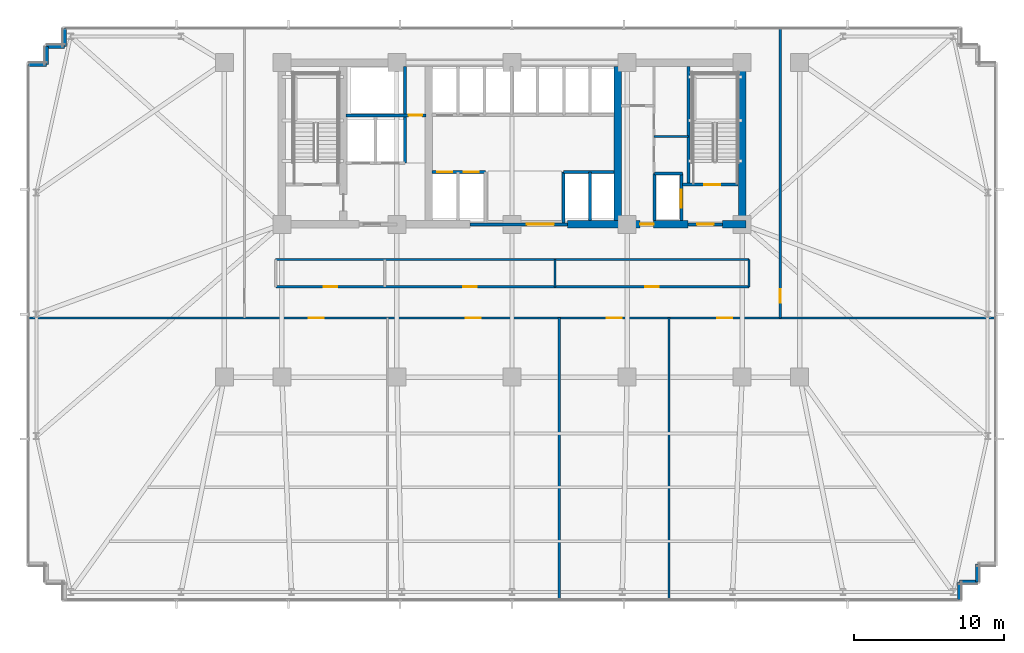
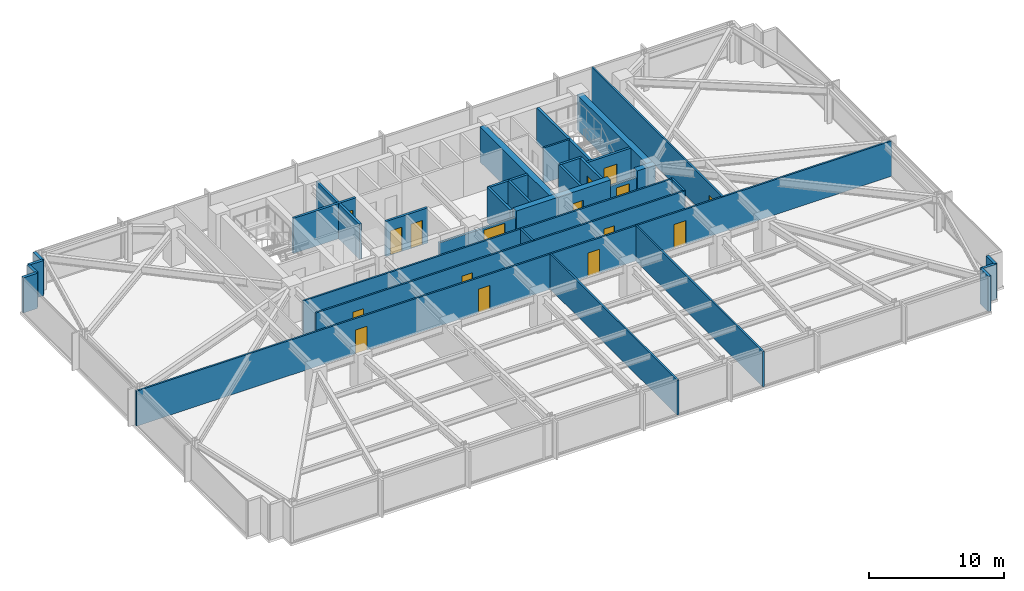
# One storey, part 25 of 33: 33 walls, 16 doors, 16 openings.
"""IFC4 building model written with IfcOpenShell, lengths in metres."""

from ifc_helpers import new_model, si_unit, direction, frame, frame_2d, origin, place, context, subcontext, project, spatial, rectangle, extrude, material, layer, layer_set, type_object, element, fill, save


model = new_model("IFC4")

# Units and contexts
model_context = context("Model", 3, precision=1e-05, world=origin(), true_north=direction((0.0, 1.0)))
body_context = subcontext(model_context, "Body", "Model", "MODEL_VIEW")
ifc_project = project(units=[si_unit("LENGTHUNIT", "METRE"), si_unit("AREAUNIT", "SQUARE_METRE"), si_unit("VOLUMEUNIT", "CUBIC_METRE"), si_unit("PLANEANGLEUNIT", "RADIAN"), si_unit("MASSUNIT", "GRAM", prefix="KILO")], contexts=[model_context])

# Site, building, storey
site_placement = place(None, origin())
site = spatial("IfcSite", under=ifc_project, at=site_placement, CompositionType="ELEMENT")
building_placement = place(site_placement, origin())
building = spatial("IfcBuilding", under=site, at=building_placement, Name="Yelkora Congress Tower", CompositionType="ELEMENT")
storey_placement = place(building_placement, frame((0.0, 0.0, 64.39990234375)))
storey = spatial("IfcBuildingStorey", under=building, at=storey_placement, Name="L16", CompositionType="ELEMENT", Elevation=64.39990234375)

# Wall
ifc_material_1 = material(Name="Concrete C50/60", Category="concrete")
ifc_layer_1 = layer(ifc_material_1, 0.219970703125)
ifc_layer_set_1 = layer_set([ifc_layer_1], Name="Concrete C50/60")
wall_type_1 = type_object("IfcWallType", Name="WALL-CORE-INT-220", PredefinedType="SHEAR", material=ifc_layer_set_1)
wall_1_placement = place(storey_placement, frame((50.179931640625, 38.050048828125, 0.0), z_axis=(0.0, 0.0, 1.0), x_axis=(0.0, 1.0, 0.0)))
element("IfcWall", 1, at=wall_1_placement, inside=storey, type_object=wall_type_1, Name="L16 ST02 West Stair Shear Wall", PredefinedType="SHEAR", context=body_context, shape_type="SweptSolid", body=[
    extrude(rectangle(XDim=7.89990234375, YDim=0.219970703125, at=frame_2d((3.949951171875, 0.0))), origin(), (0.0, 0.0, 1.0), 3.18017578125),
])

# Wall, opening, door
ifc_material_2 = material(Name="Concrete C60/75", Category="concrete")
ifc_layer_2 = layer(ifc_material_2, 0.5)
ifc_layer_set_2 = layer_set([ifc_layer_2], Name="Concrete C60/75")
wall_type_2 = type_object("IfcWallType", Name="WALL-CORE-INT-500", PredefinedType="SHEAR", material=ifc_layer_set_2)
wall_2_placement = place(storey_placement, frame((42.10009765625, 35.39990234375, 0.0), z_axis=(0.0, 0.0, 1.0), x_axis=(1.0, 0.0, 0.0)))
wall_2 = element("IfcWall", 2, at=wall_2_placement, inside=storey, type_object=wall_type_2, Name="L16 Rear Core South-East Shear Wall A", PredefinedType="SHEAR", context=body_context, shape_type="SweptSolid", body=[
    extrude(rectangle(XDim=8.0498046875, YDim=0.5, at=frame_2d((4.02490234375, 0.0))), origin(), (0.0, 0.0, 1.0), 3.18017578125),
])
opening_1_placement = place(wall_2_placement, frame((4.85009765625, 0.0, 0.0)))
opening_1 = element("IfcOpeningElement", 3, at=opening_1_placement, cuts=wall_2, Name="Opening DR-090F6", PredefinedType="OPENING", context=body_context, shape_type="SweptSolid", body=[
    extrude(rectangle(XDim=0.89990234375, YDim=2.14990234375, at=frame_2d((0.449951171875, 1.074951171875))), frame((0.0, 0.260009765625, 0.0), z_axis=(0.0, -1.0, 0.0), x_axis=(1.0, 0.0, 0.0)), (0.0, 0.0, 1.0), 0.52001953125),
])
ifc_material_3 = material(Name="Painted steel riser fire door leaf", Category="steel")
door_type_1 = type_object("IfcDoorType", Name="DOOR-FD60-900", OperationType="NOTDEFINED", PredefinedType="DOOR", material=ifc_material_3)
door_1_placement = place(opening_1_placement, origin())
door_1 = element("IfcDoor", 4, at=door_1_placement, inside=storey, type_object=door_type_1, Name="L16 Core Washroom Lobby Door", OperationType="SINGLE_SWING_RIGHT", OverallHeight=2.14990234375, OverallWidth=0.89990234375, PredefinedType="DOOR", context=body_context, shape_type="SweptSolid", body=[
    extrude(rectangle(XDim=0.89990234375, YDim=2.14990234375, at=frame_2d((0.449951171875, 1.074951171875))), frame((0.0, 0.02490234375, 0.0), z_axis=(0.0, -1.0, 0.0), x_axis=(1.0, 0.0, 0.0)), (0.0, 0.0, 1.0), 0.050048828125),
])
fill(opening_1, door_1)

# Walls
wall_3_placement = place(storey_placement, frame((52.449951171875, 35.39990234375, 0.0), z_axis=(0.0, 0.0, 1.0), x_axis=(1.0, 0.0, 0.0)))
element("IfcWall", 5, at=wall_3_placement, inside=storey, type_object=wall_type_2, Name="L16 Rear Core South-East Shear Wall B", PredefinedType="SHEAR", context=body_context, shape_type="SweptSolid", body=[
    extrude(rectangle(XDim=1.56005859375, YDim=0.5, at=frame_2d((0.780029296875, 0.0))), origin(), (0.0, 0.0, 1.0), 3.18017578125),
])
for number, where, z_axis, x_axis, name in (
    (6, (45.449951171875, 35.64990234375, 0.0), (0.0, 0.0, 1.0), (0.0, 1.0, 0.0), "L16 Rear Core Cross Shear Wall C3"),
    (7, (53.760009765625, 35.64990234375, 0.0), (0.0, 0.0, 1.0), (0.0, 1.0, 0.0), "L16 Rear Core Cross Shear Wall E"),
):
    element("IfcWall", number, at=place(storey_placement, frame(where, z_axis=z_axis, x_axis=x_axis)), inside=storey, type_object=wall_type_2, Name=name, PredefinedType="SHEAR", context=body_context, shape_type="SweptSolid", body=[
        extrude(rectangle(XDim=10.300048828125, YDim=0.5, at=frame_2d((5.14990234375, 0.0))), origin(), (0.0, 0.0, 1.0), 3.18017578125),
    ])
ifc_material_4 = material(Name="Concrete C40/50", Category="concrete")
ifc_layer_3 = layer(ifc_material_4, 0.239990234375)
ifc_layer_set_3 = layer_set([ifc_layer_3], Name="Concrete C40/50")
wall_type_3 = type_object("IfcWallType", Name="WALL-EXT-LIMESTONE-240", PredefinedType="SOLIDWALL", material=ifc_layer_set_3)
wall_4_placement = place(storey_placement, frame((6.139892578125, 46.06005859375, 0.0), z_axis=(0.0, 0.0, 1.0), x_axis=(1.0, 0.0, 0.0)))
element("IfcWall", 8, at=wall_4_placement, inside=storey, type_object=wall_type_3, Name="L16 Serrated Corner Limestone Pier 6", PredefinedType="SOLIDWALL", context=body_context, shape_type="SweptSolid", body=[
    extrude(rectangle(XDim=1.2001953125, YDim=0.239990234375, at=frame_2d((0.60009765625, 0.0))), origin(), (0.0, 0.0, 1.0), 3.18017578125),
])
for number, where, z_axis, x_axis, name in (
    (9, (7.340087890625, 46.06005859375, 0.0), (0.0, 0.0, 1.0), (0.0, 1.0, 0.0), "L16 Serrated Corner Limestone Pier 7"),
    (10, (7.340087890625, 47.260009765625, 0.0), (0.0, 0.0, 1.0), (1.0, 0.0, 0.0), "L16 Serrated Corner Limestone Pier 8"),
    (11, (8.5400390625, 47.260009765625, 0.0), (0.0, 0.0, 1.0), (0.0, 1.0, 0.0), "L16 Serrated Corner Limestone Pier 9"),
    (12, (69.4599609375, 12.739990234375, 0.0), (0.0, 0.0, 1.0), (0.0, -1.0, 0.0), "L16 Serrated Corner Limestone Pier 17"),
    (13, (69.4599609375, 11.5400390625, 0.0), (0.0, 0.0, 1.0), (-1.0, 0.0, 0.0), "L16 Serrated Corner Limestone Pier 18"),
    (14, (68.260009765625, 11.5400390625, 0.0), (0.0, 0.0, 1.0), (0.0, -1.0, 0.0), "L16 Serrated Corner Limestone Pier 19"),
):
    element("IfcWall", number, at=place(storey_placement, frame(where, z_axis=z_axis, x_axis=x_axis)), inside=storey, type_object=wall_type_3, Name=name, PredefinedType="SOLIDWALL", context=body_context, shape_type="SweptSolid", body=[
        extrude(rectangle(XDim=1.199951171875, YDim=0.239990234375, at=frame_2d((0.60009765625, 0.0))), origin(), (0.0, 0.0, 1.0), 3.18017578125),
    ])
ifc_material_5 = material(Name="Acoustic metal-stud gypsum partition", Category="gypsum")
ifc_layer_4 = layer(ifc_material_5, 0.14990234375)
ifc_layer_set_4 = layer_set([ifc_layer_4], Name="Acoustic metal-stud gypsum partition")
wall_type_4 = type_object("IfcWallType", Name="WALL-INT-150-NR", PredefinedType="PARTITIONING", material=ifc_layer_set_4)
wall_5_placement = place(storey_placement, frame((47.8798828125, 41.260009765625, 0.0), z_axis=(0.0, 0.0, 1.0), x_axis=(1.0, 0.0, 0.0)))
element("IfcWall", 15, at=wall_5_placement, inside=storey, type_object=wall_type_4, Name="L16 Partition Wall 29", PredefinedType="PARTITIONING", context=body_context, shape_type="SweptSolid", body=[
    extrude(rectangle(XDim=2.300048828125, YDim=0.14990234375, at=frame_2d((1.14990234375, 0.0))), origin(), (0.0, 0.0, 1.0), 3.18017578125),
])
for number, where, z_axis, x_axis, name in (
    (16, (41.55810546875, 10.280029296875, 0.0), (0.0, 0.0, 1.0), (0.0, 1.0, 0.0), "L16 Partition Wall 32"),
    (17, (48.883056640625, 10.280029296875, 0.0), (0.0, 0.0, 1.0), (0.0, 1.0, 0.0), "L16 Partition Wall 33"),
):
    element("IfcWall", number, at=place(storey_placement, frame(where, z_axis=z_axis, x_axis=x_axis)), inside=storey, type_object=wall_type_4, Name=name, PredefinedType="PARTITIONING", context=body_context, shape_type="SweptSolid", body=[
        extrude(rectangle(XDim=18.889892578125, YDim=0.14990234375, at=frame_2d((9.44482421875, 0.0))), origin(), (0.0, 0.0, 1.0), 3.18017578125),
    ])

# Wall, openings, doors
wall_6_placement = place(storey_placement, frame((6.080078125, 29.14990234375, 0.0), z_axis=(0.0, 0.0, 1.0), x_axis=(1.0, 0.0, 0.0)))
wall_6 = element("IfcWall", 18, at=wall_6_placement, inside=storey, type_object=wall_type_4, Name="L16 South Spine Wall", PredefinedType="PARTITIONING", context=body_context, shape_type="SweptSolid", body=[
    extrude(rectangle(XDim=64.639892578125, YDim=0.14990234375, at=frame_2d((32.31982421875, 0.0))), origin(), (0.0, 0.0, 1.0), 3.18017578125),
])
opening_2_placement = place(wall_6_placement, frame((18.740966796875, 0.0, 0.0)))
opening_2 = element("IfcOpeningElement", 19, at=opening_2_placement, cuts=wall_6, Name="Opening DR-100N", PredefinedType="OPENING", context=body_context, shape_type="SweptSolid", body=[
    extrude(rectangle(XDim=1.0, YDim=2.14990234375, at=frame_2d((0.5, 1.074951171875))), frame((0.0, 0.0849609375, 0.0), z_axis=(0.0, -1.0, 0.0), x_axis=(1.0, 0.0, 0.0)), (0.0, 0.0, 1.0), 0.169921875),
])
opening_3_placement = place(wall_6_placement, frame((29.2451171875, 0.0, 0.0)))
opening_3 = element("IfcOpeningElement", 20, at=opening_3_placement, cuts=wall_6, Name="Opening DR-100N", PredefinedType="OPENING", context=body_context, shape_type="SweptSolid", body=[
    extrude(rectangle(XDim=1.0, YDim=2.14990234375, at=frame_2d((0.5, 1.074951171875))), frame((0.0, 0.0849609375, 0.0), z_axis=(0.0, -1.0, 0.0), x_axis=(1.0, 0.0, 0.0)), (0.0, 0.0, 1.0), 0.169921875),
])
opening_4_placement = place(wall_6_placement, frame((38.640380859375, 0.0, 0.0)))
opening_4 = element("IfcOpeningElement", 21, at=opening_4_placement, cuts=wall_6, Name="Opening DR-100N", PredefinedType="OPENING", context=body_context, shape_type="SweptSolid", body=[
    extrude(rectangle(XDim=1.0, YDim=2.14990234375, at=frame_2d((0.5, 1.074951171875))), frame((0.0, 0.0849609375, 0.0), z_axis=(0.0, -1.0, 0.0), x_axis=(1.0, 0.0, 0.0)), (0.0, 0.0, 1.0), 0.169921875),
])
opening_5_placement = place(wall_6_placement, frame((46.011474609375, 0.0, 0.0)))
opening_5 = element("IfcOpeningElement", 22, at=opening_5_placement, cuts=wall_6, Name="Opening DR-100N", PredefinedType="OPENING", context=body_context, shape_type="SweptSolid", body=[
    extrude(rectangle(XDim=1.0, YDim=2.14990234375, at=frame_2d((0.5, 1.074951171875))), frame((0.0, 0.0849609375, 0.0), z_axis=(0.0, -1.0, 0.0), x_axis=(1.0, 0.0, 0.0)), (0.0, 0.0, 1.0), 0.169921875),
])
ifc_material_6 = material(Name="Solid-core Anatolian oak veneer door", Category="wood")
door_type_2 = type_object("IfcDoorType", Name="DOOR-INT-1000", OperationType="NOTDEFINED", PredefinedType="DOOR", material=ifc_material_6)
door_2_placement = place(opening_2_placement, origin())
door_2 = element("IfcDoor", 23, at=door_2_placement, inside=storey, type_object=door_type_2, Name="L16 Delegate Office Suite Door", OperationType="SINGLE_SWING_LEFT", OverallHeight=2.14990234375, OverallWidth=1.0, PredefinedType="DOOR", context=body_context, shape_type="SweptSolid", body=[
    extrude(rectangle(XDim=1.0, YDim=2.14990234375, at=frame_2d((0.5, 1.074951171875))), frame((0.0, 0.02490234375, 0.0), z_axis=(0.0, -1.0, 0.0), x_axis=(1.0, 0.0, 0.0)), (0.0, 0.0, 1.0), 0.050048828125),
])
fill(opening_2, door_2)
door_3_placement = place(opening_3_placement, origin())
door_3 = element("IfcDoor", 24, at=door_3_placement, inside=storey, type_object=door_type_2, Name="L16 Committee Meeting Room Door", OperationType="SINGLE_SWING_RIGHT", OverallHeight=2.14990234375, OverallWidth=1.0, PredefinedType="DOOR", context=body_context, shape_type="SweptSolid", body=[
    extrude(rectangle(XDim=1.0, YDim=2.14990234375, at=frame_2d((0.5, 1.074951171875))), frame((0.0, 0.02490234375, 0.0), z_axis=(0.0, -1.0, 0.0), x_axis=(1.0, 0.0, 0.0)), (0.0, 0.0, 1.0), 0.050048828125),
])
fill(opening_3, door_3)
door_4_placement = place(opening_4_placement, origin())
door_4 = element("IfcDoor", 25, at=door_4_placement, inside=storey, type_object=door_type_2, Name="L16 Committee Meeting Room Door", OperationType="SINGLE_SWING_LEFT", OverallHeight=2.14990234375, OverallWidth=1.0, PredefinedType="DOOR", context=body_context, shape_type="SweptSolid", body=[
    extrude(rectangle(XDim=1.0, YDim=2.14990234375, at=frame_2d((0.5, 1.074951171875))), frame((0.0, 0.02490234375, 0.0), z_axis=(0.0, -1.0, 0.0), x_axis=(1.0, 0.0, 0.0)), (0.0, 0.0, 1.0), 0.050048828125),
])
fill(opening_4, door_4)
door_5_placement = place(opening_5_placement, origin())
door_5 = element("IfcDoor", 26, at=door_5_placement, inside=storey, type_object=door_type_2, Name="L16 Committee Meeting Room Door", OperationType="SINGLE_SWING_RIGHT", OverallHeight=2.14990234375, OverallWidth=1.0, PredefinedType="DOOR", context=body_context, shape_type="SweptSolid", body=[
    extrude(rectangle(XDim=1.0, YDim=2.14990234375, at=frame_2d((0.5, 1.074951171875))), frame((0.0, 0.02490234375, 0.0), z_axis=(0.0, -1.0, 0.0), x_axis=(1.0, 0.0, 0.0)), (0.0, 0.0, 1.0), 0.050048828125),
])
fill(opening_5, door_5)

# Wall, opening, door
wall_7_placement = place(storey_placement, frame((56.300048828125, 29.14990234375, 0.0), z_axis=(0.0, 0.0, 1.0), x_axis=(0.0, 1.0, 0.0)))
wall_7 = element("IfcWall", 27, at=wall_7_placement, inside=storey, type_object=wall_type_4, Name="L16 Partition Wall 36", PredefinedType="PARTITIONING", context=body_context, shape_type="SweptSolid", body=[
    extrude(rectangle(XDim=19.3701171875, YDim=0.14990234375, at=frame_2d((9.68505859375, 0.0))), origin(), (0.0, 0.0, 1.0), 3.18017578125),
])
opening_6_placement = place(wall_7_placement, frame((1.030029296875, 0.0, 0.0)))
opening_6 = element("IfcOpeningElement", 28, at=opening_6_placement, cuts=wall_7, Name="Opening DR-090N", PredefinedType="OPENING", context=body_context, shape_type="SweptSolid", body=[
    extrude(rectangle(XDim=0.89990234375, YDim=2.14990234375, at=frame_2d((0.449951171875, 1.074951171875))), frame((0.0, 0.0849609375, 0.0), z_axis=(0.0, -1.0, 0.0), x_axis=(1.0, 0.0, 0.0)), (0.0, 0.0, 1.0), 0.169921875),
])
ifc_material_7 = material(Name="Moisture-resistant laminate door leaf", Category="wood")
door_type_3 = type_object("IfcDoorType", Name="DOOR-INT-900", OperationType="NOTDEFINED", PredefinedType="DOOR", material=ifc_material_7)
door_6_placement = place(opening_6_placement, origin())
door_6 = element("IfcDoor", 29, at=door_6_placement, inside=storey, type_object=door_type_3, Name="L16 E Wing Door", OperationType="SINGLE_SWING_RIGHT", OverallHeight=2.14990234375, OverallWidth=0.89990234375, PredefinedType="DOOR", context=body_context, shape_type="SweptSolid", body=[
    extrude(rectangle(XDim=0.89990234375, YDim=2.14990234375, at=frame_2d((0.449951171875, 1.074951171875))), frame((0.0, 0.02490234375, 0.0), z_axis=(0.0, -1.0, 0.0), x_axis=(1.0, 0.0, 0.0)), (0.0, 0.0, 1.0), 0.050048828125),
])
fill(opening_6, door_6)

# Walls
wall_8_placement = place(storey_placement, frame((54.219970703125, 31.22998046875, 0.0), z_axis=(0.0, 0.0, 1.0), x_axis=(0.0, 1.0, 0.0)))
element("IfcWall", 30, at=wall_8_placement, inside=storey, type_object=wall_type_4, Name="L16 Partition Wall 38", PredefinedType="PARTITIONING", context=body_context, shape_type="SweptSolid", body=[
    extrude(rectangle(XDim=1.820068359375, YDim=0.14990234375, at=frame_2d((0.91015625, 0.0))), origin(), (0.0, 0.0, 1.0), 3.18017578125),
])
wall_9_placement = place(storey_placement, frame((22.6298828125, 33.050048828125, 0.0), z_axis=(0.0, 0.0, 1.0), x_axis=(1.0, 0.0, 0.0)))
element("IfcWall", 31, at=wall_9_placement, inside=storey, type_object=wall_type_4, Name="L16 Partition Wall 39", PredefinedType="PARTITIONING", context=body_context, shape_type="SweptSolid", body=[
    extrude(rectangle(XDim=31.590087890625, YDim=0.14990234375, at=frame_2d((15.794921875, 0.0))), origin(), (0.0, 0.0, 1.0), 3.18017578125),
])
wall_10_placement = place(storey_placement, frame((41.26611328125, 31.22998046875, 0.0), z_axis=(0.0, 0.0, 1.0), x_axis=(0.0, 1.0, 0.0)))
element("IfcWall", 32, at=wall_10_placement, inside=storey, type_object=wall_type_4, Name="L16 Partition Wall 41", PredefinedType="PARTITIONING", context=body_context, shape_type="SweptSolid", body=[
    extrude(rectangle(XDim=1.820068359375, YDim=0.14990234375, at=frame_2d((0.91015625, 0.0))), origin(), (0.0, 0.0, 1.0), 3.18017578125),
])

# Wall, openings, doors
wall_11_placement = place(storey_placement, frame((22.639892578125, 31.22998046875, 0.0), z_axis=(0.0, 0.0, 1.0), x_axis=(1.0, 0.0, 0.0)))
wall_11 = element("IfcWall", 33, at=wall_11_placement, inside=storey, type_object=wall_type_4, Name="L16 Partition Wall 42", PredefinedType="PARTITIONING", context=body_context, shape_type="SweptSolid", body=[
    extrude(rectangle(XDim=31.570068359375, YDim=0.14990234375, at=frame_2d((15.78515625, 0.0))), origin(), (0.0, 0.0, 1.0), 3.18017578125),
])
opening_7_placement = place(wall_11_placement, frame((3.180419921875, 0.0, 0.0)))
opening_7 = element("IfcOpeningElement", 34, at=opening_7_placement, cuts=wall_11, Name="Opening DR-090N", PredefinedType="OPENING", context=body_context, shape_type="SweptSolid", body=[
    extrude(rectangle(XDim=0.89990234375, YDim=2.14990234375, at=frame_2d((0.449951171875, 1.074951171875))), frame((0.0, 0.0849609375, 0.0), z_axis=(0.0, -1.0, 0.0), x_axis=(1.0, 0.0, 0.0)), (0.0, 0.0, 1.0), 0.169921875),
])
opening_8_placement = place(wall_11_placement, frame((12.493408203125, 0.0, 0.0)))
opening_8 = element("IfcOpeningElement", 35, at=opening_8_placement, cuts=wall_11, Name="Opening DR-090N", PredefinedType="OPENING", context=body_context, shape_type="SweptSolid", body=[
    extrude(rectangle(XDim=0.89990234375, YDim=2.14990234375, at=frame_2d((0.449951171875, 1.074951171875))), frame((0.0, 0.0849609375, 0.0), z_axis=(0.0, -1.0, 0.0), x_axis=(1.0, 0.0, 0.0)), (0.0, 0.0, 1.0), 0.169921875),
])
opening_9_placement = place(wall_11_placement, frame((24.64794921875, 0.0, 0.0)))
opening_9 = element("IfcOpeningElement", 36, at=opening_9_placement, cuts=wall_11, Name="Opening DR-090N", PredefinedType="OPENING", context=body_context, shape_type="SweptSolid", body=[
    extrude(rectangle(XDim=0.89990234375, YDim=2.14990234375, at=frame_2d((0.449951171875, 1.074951171875))), frame((0.0, 0.0849609375, 0.0), z_axis=(0.0, -1.0, 0.0), x_axis=(1.0, 0.0, 0.0)), (0.0, 0.0, 1.0), 0.169921875),
])
door_7_placement = place(opening_7_placement, origin())
door_7 = element("IfcDoor", 37, at=door_7_placement, inside=storey, type_object=door_type_3, Name="L16 Security Control Room Door", OperationType="SINGLE_SWING_LEFT", OverallHeight=2.14990234375, OverallWidth=0.89990234375, PredefinedType="DOOR", context=body_context, shape_type="SweptSolid", body=[
    extrude(rectangle(XDim=0.89990234375, YDim=2.14990234375, at=frame_2d((0.449951171875, 1.074951171875))), frame((0.0, 0.02490234375, 0.0), z_axis=(0.0, -1.0, 0.0), x_axis=(1.0, 0.0, 0.0)), (0.0, 0.0, 1.0), 0.050048828125),
])
fill(opening_7, door_7)
door_8_placement = place(opening_8_placement, origin())
door_8 = element("IfcDoor", 38, at=door_8_placement, inside=storey, type_object=door_type_3, Name="L16 Hospitality Pantry Door", OperationType="SINGLE_SWING_RIGHT", OverallHeight=2.14990234375, OverallWidth=0.89990234375, PredefinedType="DOOR", context=body_context, shape_type="SweptSolid", body=[
    extrude(rectangle(XDim=0.89990234375, YDim=2.14990234375, at=frame_2d((0.449951171875, 1.074951171875))), frame((0.0, 0.02490234375, 0.0), z_axis=(0.0, -1.0, 0.0), x_axis=(1.0, 0.0, 0.0)), (0.0, 0.0, 1.0), 0.050048828125),
])
fill(opening_8, door_8)
door_9_placement = place(opening_9_placement, origin())
door_9 = element("IfcDoor", 39, at=door_9_placement, inside=storey, type_object=door_type_3, Name="L16 Staff Operations Room Door", OperationType="SINGLE_SWING_LEFT", OverallHeight=2.14990234375, OverallWidth=0.89990234375, PredefinedType="DOOR", context=body_context, shape_type="SweptSolid", body=[
    extrude(rectangle(XDim=0.89990234375, YDim=2.14990234375, at=frame_2d((0.449951171875, 1.074951171875))), frame((0.0, 0.02490234375, 0.0), z_axis=(0.0, -1.0, 0.0), x_axis=(1.0, 0.0, 0.0)), (0.0, 0.0, 1.0), 0.050048828125),
])
fill(opening_9, door_9)

# Wall
ifc_material_8 = material(Name="Autoclaved aerated concrete blockwork", Category="masonry")
ifc_layer_5 = layer(ifc_material_8, 0.199951171875)
ifc_layer_set_5 = layer_set([ifc_layer_5], Name="Autoclaved aerated concrete blockwork")
wall_type_5 = type_object("IfcWallType", Name="WALL-INT-200-R120", PredefinedType="PARTITIONING", material=ifc_layer_set_5)
wall_12_placement = place(storey_placement, frame((31.260009765625, 39.47998046875, 0.0), z_axis=(0.0, 0.0, 1.0), x_axis=(0.0, 1.0, 0.0)))
element("IfcWall", 40, at=wall_12_placement, inside=storey, type_object=wall_type_5, Name="L16 Partition Wall 5", PredefinedType="PARTITIONING", context=body_context, shape_type="SweptSolid", body=[
    extrude(rectangle(XDim=6.43994140625, YDim=0.199951171875, at=frame_2d((3.219970703125, 0.0))), origin(), (0.0, 0.0, 1.0), 3.18017578125),
])

# Wall, opening, door
wall_13_placement = place(storey_placement, frame((27.320068359375, 42.679931640625, 0.0), z_axis=(0.0, 0.0, 1.0), x_axis=(1.0, 0.0, 0.0)))
wall_13 = element("IfcWall", 41, at=wall_13_placement, inside=storey, type_object=wall_type_5, Name="L16 Smoke Riser South Wall", PredefinedType="PARTITIONING", context=body_context, shape_type="SweptSolid", body=[
    extrude(rectangle(XDim=5.329833984375, YDim=0.199951171875, at=frame_2d((2.6650390625, 0.0))), origin(), (0.0, 0.0, 1.0), 3.18017578125),
])
opening_10_placement = place(wall_13_placement, frame((4.179931640625, 0.0, 0.0)))
opening_10 = element("IfcOpeningElement", 42, at=opening_10_placement, cuts=wall_13, Name="Opening DR-090F6", PredefinedType="OPENING", context=body_context, shape_type="SweptSolid", body=[
    extrude(rectangle(XDim=0.89990234375, YDim=2.14990234375, at=frame_2d((0.449951171875, 1.074951171875))), frame((0.0, 0.10986328125, 0.0), z_axis=(0.0, -1.0, 0.0), x_axis=(1.0, 0.0, 0.0)), (0.0, 0.0, 1.0), 0.219970703125),
])
door_10_placement = place(opening_10_placement, origin())
door_10 = element("IfcDoor", 43, at=door_10_placement, inside=storey, type_object=door_type_1, Name="L16 Riser Access Door", OperationType="SINGLE_SWING_LEFT", OverallHeight=2.14990234375, OverallWidth=0.89990234375, PredefinedType="DOOR", context=body_context, shape_type="SweptSolid", body=[
    extrude(rectangle(XDim=0.89990234375, YDim=2.14990234375, at=frame_2d((0.449951171875, 1.074951171875))), frame((0.0, 0.02490234375, 0.0), z_axis=(0.0, -1.0, 0.0), x_axis=(1.0, 0.0, 0.0)), (0.0, 0.0, 1.0), 0.050048828125),
])
fill(opening_10, door_10)

wall_14_placement = place(storey_placement, frame((35.60009765625, 35.39990234375, 0.0), z_axis=(0.0, 0.0, 1.0), x_axis=(1.0, 0.0, 0.0)))
wall_14 = element("IfcWall", 44, at=wall_14_placement, inside=storey, type_object=wall_type_5, Name="L16 Main Lift Lobby South Portal Wall", PredefinedType="PARTITIONING", context=body_context, shape_type="SweptSolid", body=[
    extrude(rectangle(XDim=6.5, YDim=0.199951171875, at=frame_2d((3.25, 0.0))), origin(), (0.0, 0.0, 1.0), 2.47509765625),
])
opening_11_placement = place(wall_14_placement, frame((3.800048828125, 0.0, 0.0)))
opening_11 = element("IfcOpeningElement", 45, at=opening_11_placement, cuts=wall_14, Name="Opening DR-180D", PredefinedType="OPENING", context=body_context, shape_type="SweptSolid", body=[
    extrude(rectangle(XDim=1.800048828125, YDim=2.300048828125, at=frame_2d((0.89990234375, 1.14990234375))), frame((0.0, 0.10986328125, 0.0), z_axis=(0.0, -1.0, 0.0), x_axis=(1.0, 0.0, 0.0)), (0.0, 0.0, 1.0), 0.219970703125),
])
ifc_material_9 = material(Name="Acoustic double congress hall doors", Category="wood")
door_type_4 = type_object("IfcDoorType", Name="DOOR-DBL-1800", OperationType="DOUBLE_DOOR_SINGLE_SWING", PredefinedType="DOOR", material=ifc_material_9)
door_11_placement = place(opening_11_placement, origin())
door_11 = element("IfcDoor", 46, at=door_11_placement, inside=storey, type_object=door_type_4, Name="L16 Main Lift Lobby Portal Door", OperationType="DOUBLE_DOOR_SINGLE_SWING", OverallHeight=2.300048828125, OverallWidth=1.800048828125, PredefinedType="DOOR", context=body_context, shape_type="SweptSolid", body=[
    extrude(rectangle(XDim=1.800048828125, YDim=2.300048828125, at=frame_2d((0.89990234375, 1.14990234375))), frame((0.0, 0.02490234375, 0.0), z_axis=(0.0, -1.0, 0.0), x_axis=(1.0, 0.0, 0.0)), (0.0, 0.0, 1.0), 0.050048828125),
])
fill(opening_11, door_11)

# Wall, openings, doors
wall_15_placement = place(storey_placement, frame((33.050048828125, 38.89990234375, 0.0), z_axis=(0.0, 0.0, 1.0), x_axis=(1.0, 0.0, 0.0)))
wall_15 = element("IfcWall", 47, at=wall_15_placement, inside=storey, type_object=wall_type_5, Name="L16 Partition Wall 11", PredefinedType="PARTITIONING", context=body_context, shape_type="SweptSolid", body=[
    extrude(rectangle(XDim=3.570068359375, YDim=0.199951171875, at=frame_2d((1.78515625, 0.0))), origin(), (0.0, 0.0, 1.0), 3.18017578125),
])
opening_12_placement = place(wall_15_placement, frame((0.375, 0.0, 0.0)))
opening_12 = element("IfcOpeningElement", 48, at=opening_12_placement, cuts=wall_15, Name="Opening LD-PS10", PredefinedType="OPENING", context=body_context, shape_type="SweptSolid", body=[
    extrude(rectangle(XDim=1.0, YDim=2.199951171875, at=frame_2d((0.5, 1.10009765625))), frame((0.0, 0.10986328125, 0.0), z_axis=(0.0, -1.0, 0.0), x_axis=(1.0, 0.0, 0.0)), (0.0, 0.0, 1.0), 0.219970703125),
])
opening_13_placement = place(wall_15_placement, frame((2.125, 0.0, 0.0)))
opening_13 = element("IfcOpeningElement", 49, at=opening_13_placement, cuts=wall_15, Name="Opening LD-PS10", PredefinedType="OPENING", context=body_context, shape_type="SweptSolid", body=[
    extrude(rectangle(XDim=1.0, YDim=2.199951171875, at=frame_2d((0.5, 1.10009765625))), frame((0.0, 0.10986328125, 0.0), z_axis=(0.0, -1.0, 0.0), x_axis=(1.0, 0.0, 0.0)), (0.0, 0.0, 1.0), 0.219970703125),
])
ifc_material_10 = material(Name="Champagne stainless steel landing door", Category="steel")
door_type_5 = type_object("IfcDoorType", Name="DOOR-LIFT-PAS-1000", OperationType="DOUBLE_DOOR_SLIDING", PredefinedType="DOOR", material=ifc_material_10)
door_12_placement = place(opening_12_placement, origin())
door_12 = element("IfcDoor", 50, at=door_12_placement, inside=storey, type_object=door_type_5, Name="Lift Landing Door LF-P1 L16", OperationType="DOUBLE_DOOR_SLIDING", OverallHeight=2.199951171875, OverallWidth=1.0, PredefinedType="DOOR", context=body_context, shape_type="SweptSolid", body=[
    extrude(rectangle(XDim=1.0, YDim=2.199951171875, at=frame_2d((0.5, 1.10009765625))), frame((0.0, 0.02490234375, 0.0), z_axis=(0.0, -1.0, 0.0), x_axis=(1.0, 0.0, 0.0)), (0.0, 0.0, 1.0), 0.050048828125),
])
fill(opening_12, door_12)
door_13_placement = place(opening_13_placement, origin())
door_13 = element("IfcDoor", 51, at=door_13_placement, inside=storey, type_object=door_type_5, Name="Lift Landing Door LF-P2 L16", OperationType="DOUBLE_DOOR_SLIDING", OverallHeight=2.199951171875, OverallWidth=1.0, PredefinedType="DOOR", context=body_context, shape_type="SweptSolid", body=[
    extrude(rectangle(XDim=1.0, YDim=2.199951171875, at=frame_2d((0.5, 1.10009765625))), frame((0.0, 0.02490234375, 0.0), z_axis=(0.0, -1.0, 0.0), x_axis=(1.0, 0.0, 0.0)), (0.0, 0.0, 1.0), 0.050048828125),
])
fill(opening_13, door_13)

# Walls
wall_16_placement = place(storey_placement, frame((41.85009765625, 38.89990234375, 0.0), z_axis=(0.0, 0.0, 1.0), x_axis=(1.0, 0.0, 0.0)))
element("IfcWall", 52, at=wall_16_placement, inside=storey, type_object=wall_type_5, Name="L16 Partition Wall 17", PredefinedType="PARTITIONING", context=body_context, shape_type="SweptSolid", body=[
    extrude(rectangle(XDim=3.369873046875, YDim=0.199951171875, at=frame_2d((1.68505859375, 0.0))), origin(), (0.0, 0.0, 1.0), 3.18017578125),
])
wall_17_placement = place(storey_placement, frame((43.60009765625, 35.64990234375, 0.0), z_axis=(0.0, 0.0, 1.0), x_axis=(0.0, 1.0, 0.0)))
element("IfcWall", 53, at=wall_17_placement, inside=storey, type_object=wall_type_5, Name="L16 Partition Wall 19", PredefinedType="PARTITIONING", context=body_context, shape_type="SweptSolid", body=[
    extrude(rectangle(XDim=3.25, YDim=0.199951171875, at=frame_2d((1.625, 0.0))), origin(), (0.0, 0.0, 1.0), 3.18017578125),
])
wall_18_placement = place(storey_placement, frame((41.85009765625, 35.5, 0.0), z_axis=(0.0, 0.0, 1.0), x_axis=(0.0, 1.0, 0.0)))
element("IfcWall", 54, at=wall_18_placement, inside=storey, type_object=wall_type_5, Name="L16 Partition Wall 21", PredefinedType="PARTITIONING", context=body_context, shape_type="SweptSolid", body=[
    extrude(rectangle(XDim=3.39990234375, YDim=0.199951171875, at=frame_2d((1.699951171875, 0.0))), origin(), (0.0, 0.0, 1.0), 3.18017578125),
])

# Wall, opening, door
wall_19_placement = place(storey_placement, frame((49.780029296875, 38.050048828125, 0.0), z_axis=(0.0, 0.0, 1.0), x_axis=(1.0, 0.0, 0.0)))
wall_19 = element("IfcWall", 55, at=wall_19_placement, inside=storey, type_object=wall_type_5, Name="L16 Stair ST-02 Enclosure Wall", PredefinedType="PARTITIONING", context=body_context, shape_type="SweptSolid", body=[
    extrude(rectangle(XDim=3.719970703125, YDim=0.199951171875, at=frame_2d((1.85986328125, 0.0))), origin(), (0.0, 0.0, 1.0), 3.18017578125),
])
opening_14_placement = place(wall_19_placement, frame((1.436279296875, 0.0, 0.0)))
opening_14 = element("IfcOpeningElement", 56, at=opening_14_placement, cuts=wall_19, Name="Opening DR-110F9", PredefinedType="OPENING", context=body_context, shape_type="SweptSolid", body=[
    extrude(rectangle(XDim=1.10009765625, YDim=2.14990234375, at=frame_2d((0.550048828125, 1.074951171875))), frame((0.0, 0.10986328125, 0.0), z_axis=(0.0, -1.0, 0.0), x_axis=(1.0, 0.0, 0.0)), (0.0, 0.0, 1.0), 0.219970703125),
])
ifc_material_11 = material(Name="Galvanised steel fire door leaf", Category="steel")
door_type_6 = type_object("IfcDoorType", Name="DOOR-FD90-1100", OperationType="NOTDEFINED", PredefinedType="DOOR", material=ifc_material_11)
door_14_placement = place(opening_14_placement, origin())
door_14 = element("IfcDoor", 57, at=door_14_placement, inside=storey, type_object=door_type_6, Name="L16 Stair ST-02 Entry Door", OperationType="SINGLE_SWING_LEFT", OverallHeight=2.14990234375, OverallWidth=1.10009765625, PredefinedType="DOOR", context=body_context, shape_type="SweptSolid", body=[
    extrude(rectangle(XDim=1.10009765625, YDim=2.14990234375, at=frame_2d((0.550048828125, 1.074951171875))), frame((0.0, 0.02490234375, 0.0), z_axis=(0.0, -1.0, 0.0), x_axis=(1.0, 0.0, 0.0)), (0.0, 0.0, 1.0), 0.050048828125),
])
fill(opening_14, door_14)

wall_20_placement = place(storey_placement, frame((50.14990234375, 35.39990234375, 0.0), z_axis=(0.0, 0.0, 1.0), x_axis=(1.0, 0.0, 0.0)))
wall_20 = element("IfcWall", 58, at=wall_20_placement, inside=storey, type_object=wall_type_5, Name="L16 Partition Wall 24", PredefinedType="PARTITIONING", context=body_context, shape_type="SweptSolid", body=[
    extrude(rectangle(XDim=2.300048828125, YDim=0.199951171875, at=frame_2d((1.14990234375, 0.0))), origin(), (0.0, 0.0, 1.0), 2.47509765625),
])
opening_15_placement = place(wall_20_placement, frame((0.60009765625, 0.0, 0.0)))
opening_15 = element("IfcOpeningElement", 59, at=opening_15_placement, cuts=wall_20, Name="Opening DR-110F9", PredefinedType="OPENING", context=body_context, shape_type="SweptSolid", body=[
    extrude(rectangle(XDim=1.10009765625, YDim=2.14990234375, at=frame_2d((0.550048828125, 1.074951171875))), frame((0.0, 0.10986328125, 0.0), z_axis=(0.0, -1.0, 0.0), x_axis=(1.0, 0.0, 0.0)), (0.0, 0.0, 1.0), 0.219970703125),
])
door_15_placement = place(opening_15_placement, origin())
door_15 = element("IfcDoor", 60, at=door_15_placement, inside=storey, type_object=door_type_6, Name="L16 East Stair Lobby Door", OperationType="SINGLE_SWING_RIGHT", OverallHeight=2.14990234375, OverallWidth=1.10009765625, PredefinedType="DOOR", context=body_context, shape_type="SweptSolid", body=[
    extrude(rectangle(XDim=1.10009765625, YDim=2.14990234375, at=frame_2d((0.550048828125, 1.074951171875))), frame((0.0, 0.02490234375, 0.0), z_axis=(0.0, -1.0, 0.0), x_axis=(1.0, 0.0, 0.0)), (0.0, 0.0, 1.0), 0.050048828125),
])
fill(opening_15, door_15)

wall_21_placement = place(storey_placement, frame((49.699951171875, 35.64990234375, 0.0), z_axis=(0.0, 0.0, 1.0), x_axis=(0.0, 1.0, 0.0)))
wall_21 = element("IfcWall", 61, at=wall_21_placement, inside=storey, type_object=wall_type_5, Name="L16 Partition Wall 25", PredefinedType="PARTITIONING", context=body_context, shape_type="SweptSolid", body=[
    extrude(rectangle(XDim=3.150146484375, YDim=0.199951171875, at=frame_2d((1.5751953125, 0.0))), origin(), (0.0, 0.0, 1.0), 3.18017578125),
])
opening_16_placement = place(wall_21_placement, frame((0.85009765625, 0.0, 0.0)))
opening_16 = element("IfcOpeningElement", 62, at=opening_16_placement, cuts=wall_21, Name="Opening LD-SV12", PredefinedType="OPENING", context=body_context, shape_type="SweptSolid", body=[
    extrude(rectangle(XDim=1.199951171875, YDim=2.199951171875, at=frame_2d((0.60009765625, 1.10009765625))), frame((0.0, 0.10986328125, 0.0), z_axis=(0.0, -1.0, 0.0), x_axis=(1.0, 0.0, 0.0)), (0.0, 0.0, 1.0), 0.219970703125),
])
ifc_material_12 = material(Name="Heavy-duty stainless steel landing door", Category="steel")
door_type_7 = type_object("IfcDoorType", Name="DOOR-LIFT-SRV-1200", OperationType="DOUBLE_DOOR_SLIDING", PredefinedType="DOOR", material=ifc_material_12)
door_16_placement = place(opening_16_placement, origin())
door_16 = element("IfcDoor", 63, at=door_16_placement, inside=storey, type_object=door_type_7, Name="Service Lift Landing Door LF-SV1 L16", OperationType="DOUBLE_DOOR_SLIDING", OverallHeight=2.199951171875, OverallWidth=1.199951171875, PredefinedType="DOOR", context=body_context, shape_type="SweptSolid", body=[
    extrude(rectangle(XDim=1.199951171875, YDim=2.199951171875, at=frame_2d((0.60009765625, 1.10009765625))), frame((0.0, 0.02490234375, 0.0), z_axis=(0.0, -1.0, 0.0), x_axis=(1.0, 0.0, 0.0)), (0.0, 0.0, 1.0), 0.050048828125),
])
fill(opening_16, door_16)

# Walls
wall_22_placement = place(storey_placement, frame((47.919921875, 35.64990234375, 0.0), z_axis=(0.0, 0.0, 1.0), x_axis=(0.0, 1.0, 0.0)))
element("IfcWall", 64, at=wall_22_placement, inside=storey, type_object=wall_type_5, Name="L16 Partition Wall 26", PredefinedType="PARTITIONING", context=body_context, shape_type="SweptSolid", body=[
    extrude(rectangle(XDim=3.150146484375, YDim=0.199951171875, at=frame_2d((1.5751953125, 0.0))), origin(), (0.0, 0.0, 1.0), 3.18017578125),
])
wall_23_placement = place(storey_placement, frame((47.919921875, 38.800048828125, 0.0), z_axis=(0.0, 0.0, 1.0), x_axis=(1.0, 0.0, 0.0)))
element("IfcWall", 65, at=wall_23_placement, inside=storey, type_object=wall_type_5, Name="L16 Partition Wall 27", PredefinedType="PARTITIONING", context=body_context, shape_type="SweptSolid", body=[
    extrude(rectangle(XDim=1.860107421875, YDim=0.199951171875, at=frame_2d((0.93017578125, 0.0))), origin(), (0.0, 0.0, 1.0), 3.18017578125),
])

save(model, "model.ifc")
